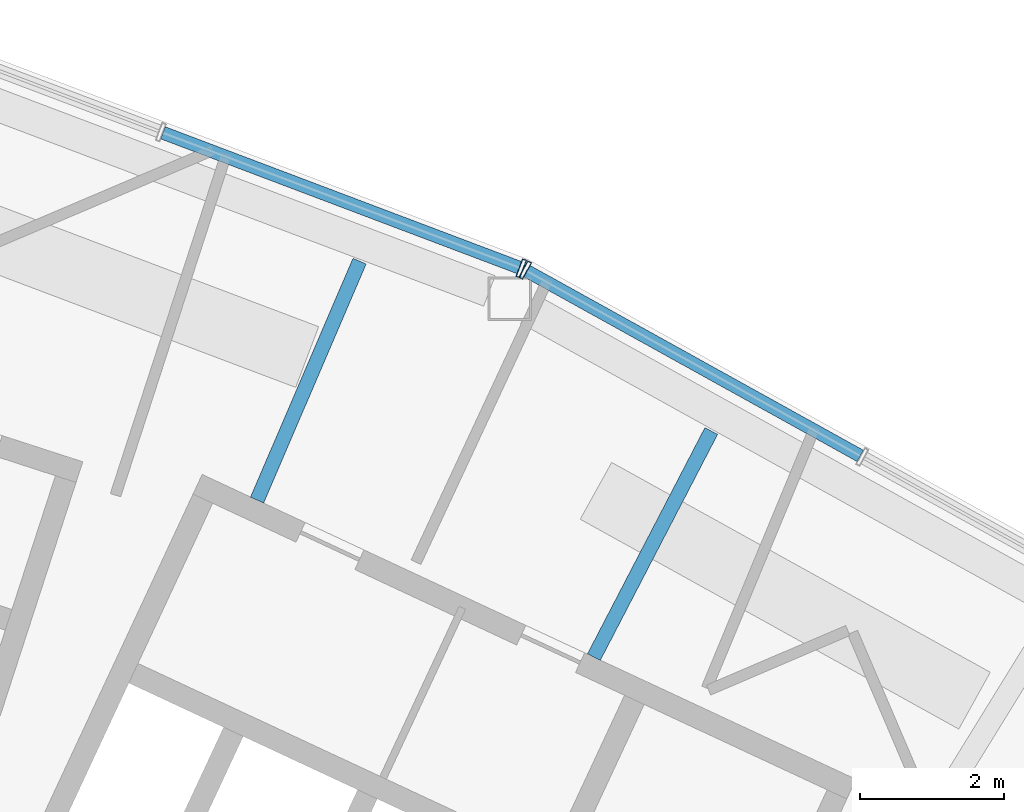
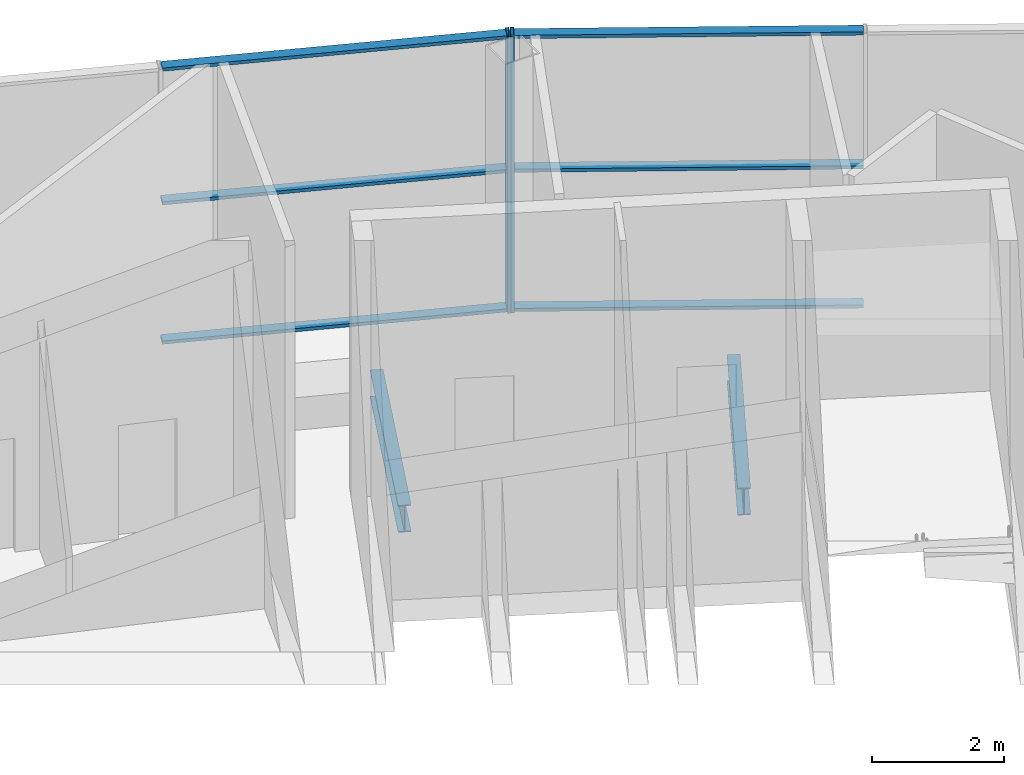
# One storey, part 30 of 43: 8 members, 2 beams, 2 elements without a shape of their own.
"""IFC4 building model written with IfcOpenShell, lengths in metres."""

from ifc_helpers import new_model, si_unit, direction, frame, origin, origin_2d, place, context, subcontext, project, spatial, hollow_rectangle, i_section, extrude, material, layer, layer_set, material_profile, profile_set, type_object, element, aggregate, save


model = new_model("IFC4")

# Units and contexts
model_context = context("Model", 3, precision=1e-05, world=origin(), true_north=direction((0.0, 1.0)))
body_context = subcontext(model_context, "Body", "Model", "MODEL_VIEW")
ifc_project = project(units=[si_unit("LENGTHUNIT", "METRE"), si_unit("AREAUNIT", "SQUARE_METRE"), si_unit("VOLUMEUNIT", "CUBIC_METRE"), si_unit("PLANEANGLEUNIT", "RADIAN"), si_unit("MASSUNIT", "GRAM", prefix="KILO")], contexts=[model_context])

# Site, building, storey
site_placement = place(None, origin())
site = spatial("IfcSite", under=ifc_project, at=site_placement, CompositionType="ELEMENT")
building_placement = place(site_placement, origin())
building = spatial("IfcBuilding", under=site, at=building_placement, Name="Tuul Gate Civic Tower", CompositionType="ELEMENT")
storey_placement = place(building_placement, frame((0.0, 0.0, 349.10009765625)))
storey = spatial("IfcBuildingStorey", under=building, at=storey_placement, Name="Observation level 1", CompositionType="ELEMENT", Elevation=349.10009765625)

# Curtain wall, member
ifc_material_1 = material(Name="Stainless steel", Category="steel")
ifc_layer = layer(ifc_material_1, 0.199951171875)
ifc_layer_set = layer_set([ifc_layer], Name="Stainless steel")
curtain_wall_type = type_object("IfcCurtainWallType", Name="Curtain wall CW4", PredefinedType="NOTDEFINED", material=ifc_layer_set)
curtain_wall_1_placement = place(storey_placement, origin())
curtain_wall_1 = element("IfcCurtainWall", 1, at=curtain_wall_1_placement, inside=storey, type_object=curtain_wall_type, Name="Curtain wall CW4", PredefinedType="NOTDEFINED")
ifc_material_2 = material(Name="Stainless steel", Category="steel")
ifc_material_profile_1 = material_profile(ifc_material_2, hollow_rectangle(XDim=0.260009765625, YDim=0.06005859375, WallThickness=0.006103515625, at=origin_2d()), Name="CW4 mullion")
ifc_profile_set_1 = profile_set([ifc_material_profile_1], Name="Stainless steel")
member_type_1 = type_object("IfcMemberType", Name="CW4 mullion", PredefinedType="MULLION", material=ifc_profile_set_1)
member_1_placement = place(storey_placement, frame((33.47119140625, 7.37646484375, 0.0), z_axis=(0.0, 0.0, 1.0), x_axis=(-0.48478912347, -0.874631068374, 0.0)))
member_1 = element("IfcMember", 2, at=member_1_placement, type_object=member_type_1, Name="Mullion", PredefinedType="MULLION", context=body_context, shape_type="SweptSolid", body=[
    extrude(hollow_rectangle(XDim=0.260009765625, YDim=0.06005859375, WallThickness=0.006103515625, at=origin_2d()), origin(), (0.0, 0.0, 1.0), 5.099853515625),
])

curtain_wall_2_placement = place(storey_placement, origin())
curtain_wall_2 = element("IfcCurtainWall", 3, at=curtain_wall_2_placement, inside=storey, type_object=curtain_wall_type, Name="Curtain wall CW4", PredefinedType="NOTDEFINED")
member_2_placement = place(storey_placement, frame((33.4169921875, 7.401611328125, 0.0), z_axis=(0.0, 0.0, 1.0), x_axis=(-0.35373363489, -0.935346200905, 0.0)))
member_2 = element("IfcMember", 4, at=member_2_placement, type_object=member_type_1, Name="Mullion", PredefinedType="MULLION", context=body_context, shape_type="SweptSolid", body=[
    extrude(hollow_rectangle(XDim=0.260009765625, YDim=0.06005859375, WallThickness=0.006103515625, at=origin_2d()), origin(), (0.0, 0.0, 1.0), 5.099853515625),
])

# Member
ifc_material_3 = material(Name="Stainless steel", Category="steel")
ifc_material_profile_2 = material_profile(ifc_material_3, hollow_rectangle(XDim=0.179931640625, YDim=0.06005859375, WallThickness=0.006103515625, at=origin_2d()), Name="CW4 transom")
ifc_profile_set_2 = profile_set([ifc_material_profile_2], Name="Stainless steel")
member_type_2 = type_object("IfcMemberType", Name="CW4 transom", PredefinedType="USERDEFINED", material=ifc_profile_set_2)
member_3_placement = place(storey_placement, frame((38.11669921875, 4.801513671875, 0.02978515625), z_axis=(-0.874630042006, 0.484790975186, 0.0), x_axis=(-0.484790975186, -0.874630042006, 0.0)))
member_3 = element("IfcMember", 5, at=member_3_placement, type_object=member_type_2, Name="Transom", ObjectType="TRANSOM", PredefinedType="USERDEFINED", context=body_context, shape_type="SweptSolid", body=[
    extrude(hollow_rectangle(XDim=0.179931640625, YDim=0.06005859375, WallThickness=0.006103515625, at=origin_2d()), origin(), (0.0, 0.0, 1.0), 5.28125),
])

member_4_placement = place(storey_placement, frame((38.11669921875, 4.801513671875, 2.599853515625), z_axis=(-0.874630042006, 0.484790975186, 0.0), x_axis=(-0.484790975186, -0.874630042006, 0.0)))
member_4 = element("IfcMember", 6, at=member_4_placement, type_object=member_type_2, Name="Transom", ObjectType="TRANSOM", PredefinedType="USERDEFINED", context=body_context, shape_type="SweptSolid", body=[
    extrude(hollow_rectangle(XDim=0.179931640625, YDim=0.06005859375, WallThickness=0.006103515625, at=origin_2d()), origin(), (0.0, 0.0, 1.0), 5.28125),
])

member_5_placement = place(storey_placement, frame((38.11669921875, 4.801513671875, 5.06982421875), z_axis=(-0.874630042006, 0.484790975186, 0.0), x_axis=(-0.484790975186, -0.874630042006, 0.0)))
member_5 = element("IfcMember", 7, at=member_5_placement, type_object=member_type_2, Name="Transom", ObjectType="TRANSOM", PredefinedType="USERDEFINED", context=body_context, shape_type="SweptSolid", body=[
    extrude(hollow_rectangle(XDim=0.179931640625, YDim=0.06005859375, WallThickness=0.006103515625, at=origin_2d()), origin(), (0.0, 0.0, 1.0), 5.28125),
])

aggregate(curtain_wall_1, [member_1, member_3, member_4, member_5])

member_6_placement = place(storey_placement, frame((33.388916015625, 7.412109375, 0.02978515625), z_axis=(-0.93534909907, 0.353725971438, 0.0), x_axis=(-0.353725971438, -0.93534909907, 0.0)))
member_6 = element("IfcMember", 8, at=member_6_placement, type_object=member_type_2, Name="Transom", ObjectType="TRANSOM", PredefinedType="USERDEFINED", context=body_context, shape_type="SweptSolid", body=[
    extrude(hollow_rectangle(XDim=0.179931640625, YDim=0.06005859375, WallThickness=0.006103515625, at=origin_2d()), origin(), (0.0, 0.0, 1.0), 5.281494140625),
])

member_7_placement = place(storey_placement, frame((33.388916015625, 7.412109375, 2.599853515625), z_axis=(-0.93534909907, 0.353725971438, 0.0), x_axis=(-0.353725971438, -0.93534909907, 0.0)))
member_7 = element("IfcMember", 9, at=member_7_placement, type_object=member_type_2, Name="Transom", ObjectType="TRANSOM", PredefinedType="USERDEFINED", context=body_context, shape_type="SweptSolid", body=[
    extrude(hollow_rectangle(XDim=0.179931640625, YDim=0.06005859375, WallThickness=0.006103515625, at=origin_2d()), origin(), (0.0, 0.0, 1.0), 5.281494140625),
])

member_8_placement = place(storey_placement, frame((33.388916015625, 7.412109375, 5.06982421875), z_axis=(-0.93534909907, 0.353725971438, 0.0), x_axis=(-0.353725971438, -0.93534909907, 0.0)))
member_8 = element("IfcMember", 10, at=member_8_placement, type_object=member_type_2, Name="Transom", ObjectType="TRANSOM", PredefinedType="USERDEFINED", context=body_context, shape_type="SweptSolid", body=[
    extrude(hollow_rectangle(XDim=0.179931640625, YDim=0.06005859375, WallThickness=0.006103515625, at=origin_2d()), origin(), (0.0, 0.0, 1.0), 5.281494140625),
])

aggregate(curtain_wall_2, [member_2, member_6, member_7, member_8])

# Beams
ifc_material_4 = material(Name="Steel S355", Category="steel")
ifc_material_profile_3 = material_profile(ifc_material_4, i_section(OverallWidth=0.199951171875, OverallDepth=0.5, WebThickness=0.010009765625, FlangeThickness=0.01611328125, at=origin_2d()), Name="PG500x200x10x16")
ifc_profile_set_3 = profile_set([ifc_material_profile_3], Name="Steel S355")
beam_type = type_object("IfcBeamType", Name="STR-FLOOR BEAM-PG500x200x10x16", PredefinedType="BEAM", material=ifc_profile_set_3)
beam_1_placement = place(storey_placement, frame((34.423583984375, 2.01220703125, -0.650146484375), z_axis=(0.460793282306, 0.887507493479, 0.0), x_axis=(-0.887507493479, 0.460793282306, 0.0)))
element("IfcBeam", 11, at=beam_1_placement, inside=storey, type_object=beam_type, Name="Floor beam", PredefinedType="BEAM", context=body_context, shape_type="SweptSolid", body=[
    extrude(i_section(OverallWidth=0.199951171875, OverallDepth=0.5, WebThickness=0.010009765625, FlangeThickness=0.01611328125, at=origin_2d()), origin(), (0.0, 0.0, 1.0), 3.53173828125),
])
beam_2_placement = place(storey_placement, frame((29.7548828125, 4.189208984375, -0.650146484375), z_axis=(0.394262656624, 0.918997800646, 0.0), x_axis=(-0.918997800646, 0.394262656624, 0.0)))
element("IfcBeam", 12, at=beam_2_placement, inside=storey, type_object=beam_type, Name="Floor beam", PredefinedType="BEAM", context=body_context, shape_type="SweptSolid", body=[
    extrude(i_section(OverallWidth=0.199951171875, OverallDepth=0.5, WebThickness=0.010009765625, FlangeThickness=0.01611328125, at=origin_2d()), origin(), (0.0, 0.0, 1.0), 3.60400390625),
])

save(model, "model.ifc")
